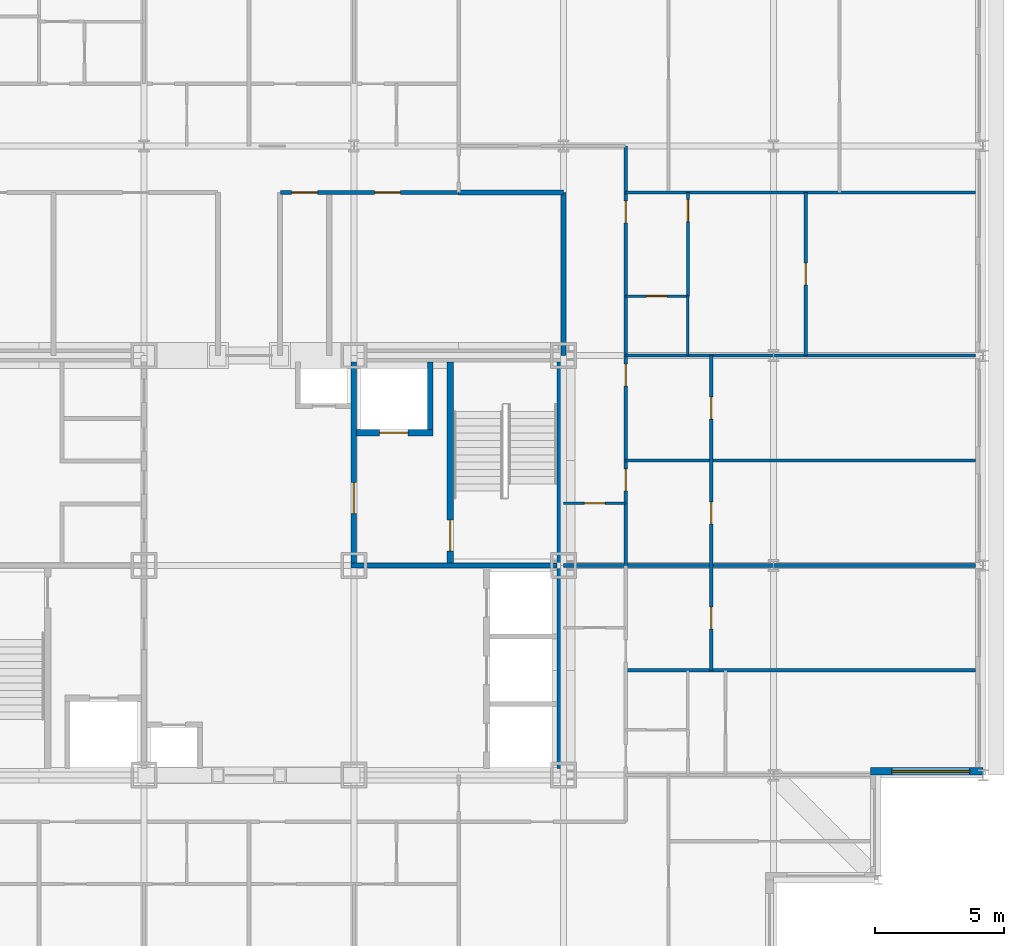
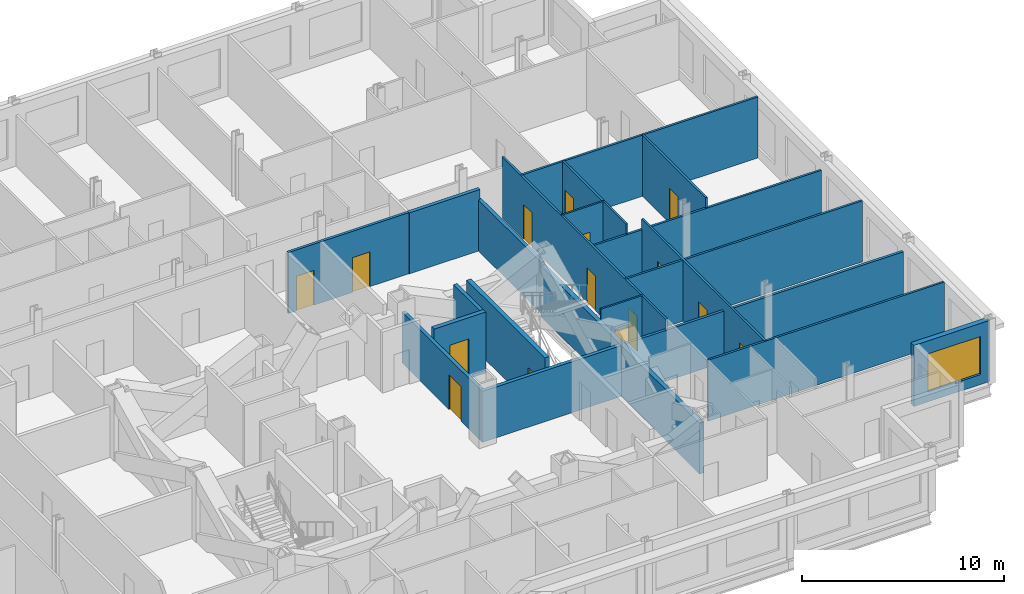
# One storey, part 11 of 16: 22 walls, 15 doors, 1 window, 16 openings.
"""IFC4 building model written with IfcOpenShell, lengths in metres."""

from ifc_helpers import new_model, si_unit, direction, frame, frame_2d, origin, place, context, subcontext, project, spatial, rectangle, extrude, material, layer, layer_set, type_object, element, fill, save


model = new_model("IFC4")

# Units and contexts
model_context = context("Model", 3, precision=1e-05, world=origin(), true_north=direction((0.0, 1.0)))
body_context = subcontext(model_context, "Body", "Model", "MODEL_VIEW")
ifc_project = project(units=[si_unit("LENGTHUNIT", "METRE"), si_unit("AREAUNIT", "SQUARE_METRE"), si_unit("VOLUMEUNIT", "CUBIC_METRE"), si_unit("PLANEANGLEUNIT", "RADIAN"), si_unit("MASSUNIT", "GRAM", prefix="KILO")], contexts=[model_context])

# Site, building, storey
site_placement = place(None, origin())
site = spatial("IfcSite", under=ifc_project, at=site_placement, CompositionType="ELEMENT")
building_placement = place(site_placement, origin())
building = spatial("IfcBuilding", under=site, at=building_placement, Name="Kopane Lantern Tower", CompositionType="ELEMENT")
storey_placement = place(building_placement, frame((0.0, 0.0, 265.800048828125)))
storey = spatial("IfcBuildingStorey", under=building, at=storey_placement, Name="L68", CompositionType="ELEMENT", Elevation=265.800048828125)

# Wall
ifc_material_1 = material(Name="Gypsum board on steel studs", Category="steel")
ifc_layer_1 = layer(ifc_material_1, 0.1201171875)
ifc_layer_set_1 = layer_set([ifc_layer_1], Name="APARTMENT INTERNAL WALL 120")
wall_type_1 = type_object("IfcWallType", Name="APARTMENT INTERNAL WALL 120", PredefinedType="PARTITIONING", material=ifc_layer_set_1)
wall_1_placement = place(storey_placement, frame((42.89990234375, 28.35009765625, 0.0), z_axis=(0.0, 0.0, 1.0), x_axis=(1.0, 0.0, 0.0)))
element("IfcWall", 1, at=wall_1_placement, inside=storey, type_object=wall_type_1, Name="Apartment Internal Wall 120 L68", PredefinedType="PARTITIONING", context=body_context, shape_type="SweptSolid", body=[
    extrude(rectangle(XDim=13.5, YDim=0.1201171875, at=frame_2d((6.75, 0.0))), origin(), (0.0, 0.0, 1.0), 3.68994140625),
])

# Wall, openings, doors
wall_2_placement = place(storey_placement, frame((42.89990234375, 48.60009765625, 0.0), z_axis=(0.0, 0.0, 1.0), x_axis=(0.0, -1.0, 0.0)))
wall_2 = element("IfcWall", 2, at=wall_2_placement, inside=storey, type_object=wall_type_1, Name="Apartment Internal Wall 120 L68", PredefinedType="PARTITIONING", context=body_context, shape_type="SweptSolid", body=[
    extrude(rectangle(XDim=16.2001953125, YDim=0.1201171875, at=frame_2d((8.10009765625, 0.0))), origin(), (0.0, 0.0, 1.0), 3.68994140625),
])
opening_1_placement = place(wall_2_placement, frame((2.125, 0.0, 0.0)))
opening_1 = element("IfcOpeningElement", 3, at=opening_1_placement, cuts=wall_2, Name="Opening L68-062", PredefinedType="OPENING", context=body_context, shape_type="SweptSolid", body=[
    extrude(rectangle(XDim=0.85009765625, YDim=2.10009765625, at=frame_2d((0.425048828125, 1.050048828125))), frame((0.0, 0.070068359375, 0.0), z_axis=(0.0, -1.0, 0.0), x_axis=(1.0, 0.0, 0.0)), (0.0, 0.0, 1.0), 0.14013671875),
])
opening_2_placement = place(wall_2_placement, frame((8.425048828125, 0.0, 0.0)))
opening_2 = element("IfcOpeningElement", 4, at=opening_2_placement, cuts=wall_2, Name="Opening L68-063", PredefinedType="OPENING", context=body_context, shape_type="SweptSolid", body=[
    extrude(rectangle(XDim=0.85009765625, YDim=2.10009765625, at=frame_2d((0.425048828125, 1.050048828125))), frame((0.0, 0.070068359375, 0.0), z_axis=(0.0, -1.0, 0.0), x_axis=(1.0, 0.0, 0.0)), (0.0, 0.0, 1.0), 0.14013671875),
])
opening_3_placement = place(wall_2_placement, frame((12.47509765625, 0.0, 0.0)))
opening_3 = element("IfcOpeningElement", 5, at=opening_3_placement, cuts=wall_2, Name="Opening L68-064", PredefinedType="OPENING", context=body_context, shape_type="SweptSolid", body=[
    extrude(rectangle(XDim=0.85009765625, YDim=2.10009765625, at=frame_2d((0.425048828125, 1.050048828125))), frame((0.0, 0.070068359375, 0.0), z_axis=(0.0, -1.0, 0.0), x_axis=(1.0, 0.0, 0.0)), (0.0, 0.0, 1.0), 0.14013671875),
])
ifc_material_2 = material(Name="Timber door set", Category="wood")
door_type_1 = type_object("IfcDoorType", Name="DOOR D4 850x2100", OperationType="SINGLE_SWING_LEFT", PredefinedType="DOOR", material=ifc_material_2)
door_1_placement = place(opening_1_placement, origin())
door_1 = element("IfcDoor", 6, at=door_1_placement, inside=storey, type_object=door_type_1, Name="Door L68-062", OperationType="SINGLE_SWING_LEFT", OverallHeight=2.10009765625, OverallWidth=0.85009765625, PredefinedType="DOOR", context=body_context, shape_type="SweptSolid", body=[
    extrude(rectangle(XDim=0.85009765625, YDim=2.10009765625, at=frame_2d((0.425048828125, 1.050048828125))), frame((0.0, 0.02490234375, 0.0), z_axis=(0.0, -1.0, 0.0), x_axis=(1.0, 0.0, 0.0)), (0.0, 0.0, 1.0), 0.050048828125),
])
fill(opening_1, door_1)
door_2_placement = place(opening_2_placement, origin())
door_2 = element("IfcDoor", 7, at=door_2_placement, inside=storey, type_object=door_type_1, Name="Door L68-063", OperationType="SINGLE_SWING_LEFT", OverallHeight=2.10009765625, OverallWidth=0.85009765625, PredefinedType="DOOR", context=body_context, shape_type="SweptSolid", body=[
    extrude(rectangle(XDim=0.85009765625, YDim=2.10009765625, at=frame_2d((0.425048828125, 1.050048828125))), frame((0.0, 0.02490234375, 0.0), z_axis=(0.0, -1.0, 0.0), x_axis=(1.0, 0.0, 0.0)), (0.0, 0.0, 1.0), 0.050048828125),
])
fill(opening_2, door_2)
door_3_placement = place(opening_3_placement, origin())
door_3 = element("IfcDoor", 8, at=door_3_placement, inside=storey, type_object=door_type_1, Name="Door L68-064", OperationType="SINGLE_SWING_LEFT", OverallHeight=2.10009765625, OverallWidth=0.85009765625, PredefinedType="DOOR", context=body_context, shape_type="SweptSolid", body=[
    extrude(rectangle(XDim=0.85009765625, YDim=2.10009765625, at=frame_2d((0.425048828125, 1.050048828125))), frame((0.0, 0.02490234375, 0.0), z_axis=(0.0, -1.0, 0.0), x_axis=(1.0, 0.0, 0.0)), (0.0, 0.0, 1.0), 0.050048828125),
])
fill(opening_3, door_3)

# Walls
wall_3_placement = place(storey_placement, frame((42.89990234375, 46.800048828125, 0.0), z_axis=(0.0, 0.0, 1.0), x_axis=(1.0, 0.0, 0.0)))
element("IfcWall", 9, at=wall_3_placement, inside=storey, type_object=wall_type_1, Name="Apartment Internal Wall 120 L68", PredefinedType="PARTITIONING", context=body_context, shape_type="SweptSolid", body=[
    extrude(rectangle(XDim=13.5, YDim=0.1201171875, at=frame_2d((6.75, 0.0))), origin(), (0.0, 0.0, 1.0), 3.68994140625),
])
wall_4_placement = place(storey_placement, frame((42.89990234375, 40.5, 0.0), z_axis=(0.0, 0.0, 1.0), x_axis=(1.0, 0.0, 0.0)))
element("IfcWall", 10, at=wall_4_placement, inside=storey, type_object=wall_type_1, Name="Apartment Internal Wall 120 L68", PredefinedType="PARTITIONING", context=body_context, shape_type="SweptSolid", body=[
    extrude(rectangle(XDim=13.5, YDim=0.1201171875, at=frame_2d((6.75, 0.0))), origin(), (0.0, 0.0, 1.0), 3.07763671875),
])
wall_5_placement = place(storey_placement, frame((42.89990234375, 36.449951171875, 0.0), z_axis=(0.0, 0.0, 1.0), x_axis=(1.0, 0.0, 0.0)))
element("IfcWall", 11, at=wall_5_placement, inside=storey, type_object=wall_type_1, Name="Apartment Internal Wall 120 L68", PredefinedType="PARTITIONING", context=body_context, shape_type="SweptSolid", body=[
    extrude(rectangle(XDim=13.5, YDim=0.1201171875, at=frame_2d((6.75, 0.0))), origin(), (0.0, 0.0, 1.0), 3.68994140625),
])

# Wall, opening, door
wall_6_placement = place(storey_placement, frame((45.300048828125, 46.800048828125, 0.0), z_axis=(0.0, 0.0, 1.0), x_axis=(0.0, -1.0, 0.0)))
wall_6 = element("IfcWall", 12, at=wall_6_placement, inside=storey, type_object=wall_type_1, Name="Apartment Internal Wall 120 L68", PredefinedType="PARTITIONING", context=body_context, shape_type="SweptSolid", body=[
    extrude(rectangle(XDim=4.010009765625, YDim=0.1201171875, at=frame_2d((2.0048828125, 0.0))), origin(), (0.0, 0.0, 1.0), 3.68994140625),
])
opening_4_placement = place(wall_6_placement, frame((0.27490234375, 0.0, 0.0)))
opening_4 = element("IfcOpeningElement", 13, at=opening_4_placement, cuts=wall_6, Name="Opening L68-070", PredefinedType="OPENING", context=body_context, shape_type="SweptSolid", body=[
    extrude(rectangle(XDim=0.85009765625, YDim=2.10009765625, at=frame_2d((0.425048828125, 1.050048828125))), frame((0.0, 0.070068359375, 0.0), z_axis=(0.0, -1.0, 0.0), x_axis=(1.0, 0.0, 0.0)), (0.0, 0.0, 1.0), 0.14013671875),
])
door_4_placement = place(opening_4_placement, origin())
door_4 = element("IfcDoor", 14, at=door_4_placement, inside=storey, type_object=door_type_1, Name="Door L68-070", OperationType="SINGLE_SWING_LEFT", OverallHeight=2.10009765625, OverallWidth=0.85009765625, PredefinedType="DOOR", context=body_context, shape_type="SweptSolid", body=[
    extrude(rectangle(XDim=0.85009765625, YDim=2.10009765625, at=frame_2d((0.425048828125, 1.050048828125))), frame((0.0, 0.02490234375, 0.0), z_axis=(0.0, -1.0, 0.0), x_axis=(1.0, 0.0, 0.0)), (0.0, 0.0, 1.0), 0.050048828125),
])
fill(opening_4, door_4)

# Wall, openings, doors
wall_7_placement = place(storey_placement, frame((46.199951171875, 28.35009765625, 0.0), z_axis=(0.0, 0.0, 1.0), x_axis=(0.0, 1.0, 0.0)))
wall_7 = element("IfcWall", 15, at=wall_7_placement, inside=storey, type_object=wall_type_1, Name="Apartment Internal Wall 120 L68", PredefinedType="PARTITIONING", context=body_context, shape_type="SweptSolid", body=[
    extrude(rectangle(XDim=12.14990234375, YDim=0.1201171875, at=frame_2d((6.074951171875, 0.0))), origin(), (0.0, 0.0, 1.0), 3.68994140625),
])
opening_5_placement = place(wall_7_placement, frame((1.60009765625, 0.0, 0.0)))
opening_5 = element("IfcOpeningElement", 16, at=opening_5_placement, cuts=wall_7, Name="Opening L68-078", PredefinedType="OPENING", context=body_context, shape_type="SweptSolid", body=[
    extrude(rectangle(XDim=0.85009765625, YDim=2.10009765625, at=frame_2d((0.425048828125, 1.050048828125))), frame((0.0, 0.070068359375, 0.0), z_axis=(0.0, -1.0, 0.0), x_axis=(1.0, 0.0, 0.0)), (0.0, 0.0, 1.0), 0.14013671875),
])
opening_6_placement = place(wall_7_placement, frame((9.699951171875, 0.0, 0.0)))
opening_6 = element("IfcOpeningElement", 17, at=opening_6_placement, cuts=wall_7, Name="Opening L68-082", PredefinedType="OPENING", context=body_context, shape_type="SweptSolid", body=[
    extrude(rectangle(XDim=0.85009765625, YDim=2.10009765625, at=frame_2d((0.425048828125, 1.050048828125))), frame((0.0, 0.070068359375, 0.0), z_axis=(0.0, -1.0, 0.0), x_axis=(1.0, 0.0, 0.0)), (0.0, 0.0, 1.0), 0.14013671875),
])
opening_7_placement = place(wall_7_placement, frame((5.64990234375, 0.0, 0.0)))
opening_7 = element("IfcOpeningElement", 18, at=opening_7_placement, cuts=wall_7, Name="Opening L68-083", PredefinedType="OPENING", context=body_context, shape_type="SweptSolid", body=[
    extrude(rectangle(XDim=0.85009765625, YDim=2.10009765625, at=frame_2d((0.425048828125, 1.050048828125))), frame((0.0, 0.070068359375, 0.0), z_axis=(0.0, -1.0, 0.0), x_axis=(1.0, 0.0, 0.0)), (0.0, 0.0, 1.0), 0.14013671875),
])
door_5_placement = place(opening_5_placement, origin())
door_5 = element("IfcDoor", 19, at=door_5_placement, inside=storey, type_object=door_type_1, Name="Door L68-078", OperationType="SINGLE_SWING_LEFT", OverallHeight=2.10009765625, OverallWidth=0.85009765625, PredefinedType="DOOR", context=body_context, shape_type="SweptSolid", body=[
    extrude(rectangle(XDim=0.85009765625, YDim=2.10009765625, at=frame_2d((0.425048828125, 1.050048828125))), frame((0.0, 0.02490234375, 0.0), z_axis=(0.0, -1.0, 0.0), x_axis=(1.0, 0.0, 0.0)), (0.0, 0.0, 1.0), 0.050048828125),
])
fill(opening_5, door_5)
door_6_placement = place(opening_6_placement, origin())
door_6 = element("IfcDoor", 20, at=door_6_placement, inside=storey, type_object=door_type_1, Name="Door L68-082", OperationType="SINGLE_SWING_LEFT", OverallHeight=2.10009765625, OverallWidth=0.85009765625, PredefinedType="DOOR", context=body_context, shape_type="SweptSolid", body=[
    extrude(rectangle(XDim=0.85009765625, YDim=2.10009765625, at=frame_2d((0.425048828125, 1.050048828125))), frame((0.0, 0.02490234375, 0.0), z_axis=(0.0, -1.0, 0.0), x_axis=(1.0, 0.0, 0.0)), (0.0, 0.0, 1.0), 0.050048828125),
])
fill(opening_6, door_6)
door_7_placement = place(opening_7_placement, origin())
door_7 = element("IfcDoor", 21, at=door_7_placement, inside=storey, type_object=door_type_1, Name="Door L68-083", OperationType="SINGLE_SWING_RIGHT", OverallHeight=2.10009765625, OverallWidth=0.85009765625, PredefinedType="DOOR", context=body_context, shape_type="SweptSolid", body=[
    extrude(rectangle(XDim=0.85009765625, YDim=2.10009765625, at=frame_2d((0.425048828125, 1.050048828125))), frame((0.0, 0.02490234375, 0.0), z_axis=(0.0, -1.0, 0.0), x_axis=(1.0, 0.0, 0.0)), (0.0, 0.0, 1.0), 0.050048828125),
])
fill(opening_7, door_7)

# Wall, opening, door
wall_8_placement = place(storey_placement, frame((49.85009765625, 40.5, 0.0), z_axis=(0.0, 0.0, 1.0), x_axis=(0.0, 1.0, 0.0)))
wall_8 = element("IfcWall", 22, at=wall_8_placement, inside=storey, type_object=wall_type_1, Name="Apartment Internal Wall 120 L68", PredefinedType="PARTITIONING", context=body_context, shape_type="SweptSolid", body=[
    extrude(rectangle(XDim=6.300048828125, YDim=0.1201171875, at=frame_2d((3.14990234375, 0.0))), origin(), (0.0, 0.0, 1.0), 3.68994140625),
])
opening_8_placement = place(wall_8_placement, frame((2.72509765625, 0.0, 0.0)))
opening_8 = element("IfcOpeningElement", 23, at=opening_8_placement, cuts=wall_8, Name="Opening L68-081", PredefinedType="OPENING", context=body_context, shape_type="SweptSolid", body=[
    extrude(rectangle(XDim=0.85009765625, YDim=2.10009765625, at=frame_2d((0.425048828125, 1.050048828125))), frame((0.0, 0.070068359375, 0.0), z_axis=(0.0, -1.0, 0.0), x_axis=(1.0, 0.0, 0.0)), (0.0, 0.0, 1.0), 0.14013671875),
])
door_8_placement = place(opening_8_placement, origin())
door_8 = element("IfcDoor", 24, at=door_8_placement, inside=storey, type_object=door_type_1, Name="Door L68-081", OperationType="SINGLE_SWING_LEFT", OverallHeight=2.10009765625, OverallWidth=0.85009765625, PredefinedType="DOOR", context=body_context, shape_type="SweptSolid", body=[
    extrude(rectangle(XDim=0.85009765625, YDim=2.10009765625, at=frame_2d((0.425048828125, 1.050048828125))), frame((0.0, 0.02490234375, 0.0), z_axis=(0.0, -1.0, 0.0), x_axis=(1.0, 0.0, 0.0)), (0.0, 0.0, 1.0), 0.050048828125),
])
fill(opening_8, door_8)

ifc_material_3 = material(Name="Moisture-resistant board on steel studs", Category="steel")
ifc_layer_2 = layer(ifc_material_3, 0.10009765625)
ifc_layer_set_2 = layer_set([ifc_layer_2], Name="BATHROOM WALL 100")
wall_type_2 = type_object("IfcWallType", Name="BATHROOM WALL 100", PredefinedType="PARTITIONING", material=ifc_layer_set_2)
wall_9_placement = place(storey_placement, frame((40.5, 34.800048828125, 0.0), z_axis=(0.0, 0.0, 1.0), x_axis=(1.0, 0.0, 0.0)))
wall_9 = element("IfcWall", 25, at=wall_9_placement, inside=storey, type_object=wall_type_2, Name="Bathroom Wall 100 L68", PredefinedType="PARTITIONING", context=body_context, shape_type="SweptSolid", body=[
    extrude(rectangle(XDim=2.39990234375, YDim=0.10009765625, at=frame_2d((1.199951171875, 0.0))), origin(), (0.0, 0.0, 1.0), 3.68994140625),
])
opening_9_placement = place(wall_9_placement, frame((0.800048828125, 0.0, 0.0)))
opening_9 = element("IfcOpeningElement", 26, at=opening_9_placement, cuts=wall_9, Name="Opening L68-056", PredefinedType="OPENING", context=body_context, shape_type="SweptSolid", body=[
    extrude(rectangle(XDim=0.800048828125, YDim=2.10009765625, at=frame_2d((0.39990234375, 1.050048828125))), frame((0.0, 0.06005859375, 0.0), z_axis=(0.0, -1.0, 0.0), x_axis=(1.0, 0.0, 0.0)), (0.0, 0.0, 1.0), 0.1201171875),
])
ifc_material_4 = material(Name="Timber door set", Category="wood")
door_type_2 = type_object("IfcDoorType", Name="DOOR D2 800x2100", OperationType="SINGLE_SWING_LEFT", PredefinedType="DOOR", material=ifc_material_4)
door_9_placement = place(opening_9_placement, origin())
door_9 = element("IfcDoor", 27, at=door_9_placement, inside=storey, type_object=door_type_2, Name="Door L68-056", OperationType="SINGLE_SWING_RIGHT", OverallHeight=2.10009765625, OverallWidth=0.800048828125, PredefinedType="DOOR", context=body_context, shape_type="SweptSolid", body=[
    extrude(rectangle(XDim=0.800048828125, YDim=2.10009765625, at=frame_2d((0.39990234375, 1.050048828125))), frame((0.0, 0.02490234375, 0.0), z_axis=(0.0, -1.0, 0.0), x_axis=(1.0, 0.0, 0.0)), (0.0, 0.0, 1.0), 0.050048828125),
])
fill(opening_9, door_9)

wall_10_placement = place(storey_placement, frame((42.89990234375, 42.800048828125, 0.0), z_axis=(0.0, 0.0, 1.0), x_axis=(1.0, 0.0, 0.0)))
wall_10 = element("IfcWall", 28, at=wall_10_placement, inside=storey, type_object=wall_type_2, Name="Bathroom Wall 100 L68", PredefinedType="PARTITIONING", context=body_context, shape_type="SweptSolid", body=[
    extrude(rectangle(XDim=2.400146484375, YDim=0.10009765625, at=frame_2d((1.2001953125, 0.0))), origin(), (0.0, 0.0, 1.0), 3.68994140625),
])
opening_10_placement = place(wall_10_placement, frame((0.800048828125, 0.0, 0.0)))
opening_10 = element("IfcOpeningElement", 29, at=opening_10_placement, cuts=wall_10, Name="Opening L68-061", PredefinedType="OPENING", context=body_context, shape_type="SweptSolid", body=[
    extrude(rectangle(XDim=0.800048828125, YDim=2.10009765625, at=frame_2d((0.39990234375, 1.050048828125))), frame((0.0, 0.06005859375, 0.0), z_axis=(0.0, -1.0, 0.0), x_axis=(1.0, 0.0, 0.0)), (0.0, 0.0, 1.0), 0.1201171875),
])
door_10_placement = place(opening_10_placement, origin())
door_10 = element("IfcDoor", 30, at=door_10_placement, inside=storey, type_object=door_type_2, Name="Door L68-061", OperationType="SINGLE_SWING_LEFT", OverallHeight=2.10009765625, OverallWidth=0.800048828125, PredefinedType="DOOR", context=body_context, shape_type="SweptSolid", body=[
    extrude(rectangle(XDim=0.800048828125, YDim=2.10009765625, at=frame_2d((0.39990234375, 1.050048828125))), frame((0.0, 0.02490234375, 0.0), z_axis=(0.0, -1.0, 0.0), x_axis=(1.0, 0.0, 0.0)), (0.0, 0.0, 1.0), 0.050048828125),
])
fill(opening_10, door_10)

# Walls
wall_11_placement = place(storey_placement, frame((45.300048828125, 42.800048828125, 0.0), z_axis=(0.0, 0.0, 1.0), x_axis=(0.0, -1.0, 0.0)))
element("IfcWall", 31, at=wall_11_placement, inside=storey, type_object=wall_type_2, Name="Bathroom Wall 100 L68", PredefinedType="PARTITIONING", context=body_context, shape_type="SweptSolid", body=[
    extrude(rectangle(XDim=2.300048828125, YDim=0.10009765625, at=frame_2d((1.14990234375, 0.0))), origin(), (0.0, 0.0, 1.0), 3.68994140625),
])
ifc_material_5 = material(Name="Gypsum shaft wall EI 120", Category="gypsum")
ifc_layer_3 = layer(ifc_material_5, 0.25)
ifc_layer_set_3 = layer_set([ifc_layer_3], Name="CORE SHAFT WALL 250 EI 120")
wall_type_3 = type_object("IfcWallType", Name="CORE SHAFT WALL 250 EI 120", PredefinedType="SOLIDWALL", material=ifc_layer_set_3)
wall_12_placement = place(storey_placement, frame((40.375, 24.550048828125, 0.0), z_axis=(0.0, 0.0, 1.0), x_axis=(0.0, 1.0, 0.0)))
element("IfcWall", 32, at=wall_12_placement, inside=storey, type_object=wall_type_3, Name="Core shaft wall L68 PE", PredefinedType="SOLIDWALL", context=body_context, shape_type="SweptSolid", body=[
    extrude(rectangle(XDim=15.699951171875, YDim=0.25, at=frame_2d((7.85009765625, 0.0))), origin(), (0.0, 0.0, 1.0), 3.07763671875),
])

# Wall, opening, door
wall_13_placement = place(storey_placement, frame((36.125, 32.5, 0.0), z_axis=(0.0, 0.0, 1.0), x_axis=(0.0, 1.0, 0.0)))
wall_13 = element("IfcWall", 33, at=wall_13_placement, inside=storey, type_object=wall_type_3, Name="Core shaft wall L68 XST2", PredefinedType="SOLIDWALL", context=body_context, shape_type="SweptSolid", body=[
    extrude(rectangle(XDim=7.75, YDim=0.25, at=frame_2d((3.875, 0.0))), origin(), (0.0, 0.0, 1.0), 3.68994140625),
])
opening_11_placement = place(wall_13_placement, frame((0.449951171875, 0.0, 0.0)))
opening_11 = element("IfcOpeningElement", 34, at=opening_11_placement, cuts=wall_13, Name="Opening 68.SD2", PredefinedType="OPENING", context=body_context, shape_type="SweptSolid", body=[
    extrude(rectangle(XDim=1.199951171875, YDim=2.10009765625, at=frame_2d((0.60009765625, 1.050048828125))), frame((0.0, 0.135009765625, 0.0), z_axis=(0.0, -1.0, 0.0), x_axis=(1.0, 0.0, 0.0)), (0.0, 0.0, 1.0), 0.27001953125),
])
ifc_material_6 = material(Name="Steel door set", Category="steel")
door_type_3 = type_object("IfcDoorType", Name="STAIR DOOR 1200x2100 FD60S", OperationType="SINGLE_SWING_LEFT", PredefinedType="DOOR", material=ifc_material_6)
door_11_placement = place(opening_11_placement, origin())
door_11 = element("IfcDoor", 35, at=door_11_placement, inside=storey, type_object=door_type_3, Name="Stair door ST2 L68", OperationType="SINGLE_SWING_RIGHT", OverallHeight=2.10009765625, OverallWidth=1.199951171875, PredefinedType="DOOR", context=body_context, shape_type="SweptSolid", body=[
    extrude(rectangle(XDim=1.199951171875, YDim=2.10009765625, at=frame_2d((0.60009765625, 1.050048828125))), frame((0.0, 0.02490234375, 0.0), z_axis=(0.0, -1.0, 0.0), x_axis=(1.0, 0.0, 0.0)), (0.0, 0.0, 1.0), 0.050048828125),
])
fill(opening_11, door_11)

wall_14_placement = place(storey_placement, frame((32.5, 37.52490234375, 0.0), z_axis=(0.0, 0.0, 1.0), x_axis=(1.0, 0.0, 0.0)))
wall_14 = element("IfcWall", 36, at=wall_14_placement, inside=storey, type_object=wall_type_3, Name="Core shaft wall L68 YLF2", PredefinedType="SOLIDWALL", context=body_context, shape_type="SweptSolid", body=[
    extrude(rectangle(XDim=2.949951171875, YDim=0.25, at=frame_2d((1.47509765625, 0.0))), origin(), (0.0, 0.0, 1.0), 3.68994140625),
])
opening_12_placement = place(wall_14_placement, frame((0.89990234375, 0.0, 0.0)))
opening_12 = element("IfcOpeningElement", 37, at=opening_12_placement, cuts=wall_14, Name="Opening 68.LD-LF2", PredefinedType="OPENING", context=body_context, shape_type="SweptSolid", body=[
    extrude(rectangle(XDim=1.10009765625, YDim=2.39990234375, at=frame_2d((0.550048828125, 1.199951171875))), frame((0.0, 0.135009765625, 0.0), z_axis=(0.0, -1.0, 0.0), x_axis=(1.0, 0.0, 0.0)), (0.0, 0.0, 1.0), 0.27001953125),
])
ifc_material_7 = material(Name="Steel door set", Category="steel")
door_type_4 = type_object("IfcDoorType", Name="LIFT LANDING DOOR 1100x2400 FD60", OperationType="DOUBLE_DOOR_SLIDING", PredefinedType="DOOR", material=ifc_material_7)
door_12_placement = place(opening_12_placement, origin())
door_12 = element("IfcDoor", 38, at=door_12_placement, inside=storey, type_object=door_type_4, Name="Landing door LF2 L68", OperationType="DOUBLE_DOOR_SLIDING", OverallHeight=2.39990234375, OverallWidth=1.10009765625, PredefinedType="DOOR", context=body_context, shape_type="SweptSolid", body=[
    extrude(rectangle(XDim=1.10009765625, YDim=2.39990234375, at=frame_2d((0.550048828125, 1.199951171875))), frame((0.0, 0.02490234375, 0.0), z_axis=(0.0, -1.0, 0.0), x_axis=(1.0, 0.0, 0.0)), (0.0, 0.0, 1.0), 0.050048828125),
])
fill(opening_12, door_12)

# Wall, openings, doors
ifc_material_8 = material(Name="Gypsum board on steel studs", Category="steel")
ifc_layer_4 = layer(ifc_material_8, 0.14990234375)
ifc_layer_set_4 = layer_set([ifc_layer_4], Name="CORRIDOR WALL 150 EI 60")
wall_type_4 = type_object("IfcWallType", Name="CORRIDOR WALL 150 EI 60", PredefinedType="PARTITIONING", material=ifc_layer_set_4)
wall_15_placement = place(storey_placement, frame((29.56005859375, 46.800048828125, 0.0), z_axis=(0.0, 0.0, 1.0), x_axis=(1.0, 0.0, 0.0)))
wall_15 = element("IfcWall", 39, at=wall_15_placement, inside=storey, type_object=wall_type_4, Name="Corridor Wall 150 Ei 60 L68", PredefinedType="PARTITIONING", context=body_context, shape_type="SweptSolid", body=[
    extrude(rectangle(XDim=6.889892578125, YDim=0.14990234375, at=frame_2d((3.44482421875, 0.0))), origin(), (0.0, 0.0, 1.0), 3.68994140625),
])
opening_13_placement = place(wall_15_placement, frame((0.4423828125, 0.0, 0.0)))
opening_13 = element("IfcOpeningElement", 40, at=opening_13_placement, cuts=wall_15, Name="Opening L68-007", PredefinedType="OPENING", context=body_context, shape_type="SweptSolid", body=[
    extrude(rectangle(XDim=1.0, YDim=2.10009765625, at=frame_2d((0.5, 1.050048828125))), frame((0.0, 0.0849609375, 0.0), z_axis=(0.0, -1.0, 0.0), x_axis=(1.0, 0.0, 0.0)), (0.0, 0.0, 1.0), 0.169921875),
])
opening_14_placement = place(wall_15_placement, frame((3.642333984375, 0.0, 0.0)))
opening_14 = element("IfcOpeningElement", 41, at=opening_14_placement, cuts=wall_15, Name="Opening L68-008", PredefinedType="OPENING", context=body_context, shape_type="SweptSolid", body=[
    extrude(rectangle(XDim=1.0, YDim=2.10009765625, at=frame_2d((0.5, 1.050048828125))), frame((0.0, 0.0849609375, 0.0), z_axis=(0.0, -1.0, 0.0), x_axis=(1.0, 0.0, 0.0)), (0.0, 0.0, 1.0), 0.169921875),
])
ifc_material_9 = material(Name="Steel door set", Category="steel")
door_type_5 = type_object("IfcDoorType", Name="DOOR D5 1000x2100 FD60", OperationType="SINGLE_SWING_LEFT", PredefinedType="DOOR", material=ifc_material_9)
door_13_placement = place(opening_13_placement, origin())
door_13 = element("IfcDoor", 42, at=door_13_placement, inside=storey, type_object=door_type_5, Name="Door L68-007", OperationType="SINGLE_SWING_RIGHT", OverallHeight=2.10009765625, OverallWidth=1.0, PredefinedType="DOOR", context=body_context, shape_type="SweptSolid", body=[
    extrude(rectangle(XDim=1.0, YDim=2.10009765625, at=frame_2d((0.5, 1.050048828125))), frame((0.0, 0.02490234375, 0.0), z_axis=(0.0, -1.0, 0.0), x_axis=(1.0, 0.0, 0.0)), (0.0, 0.0, 1.0), 0.050048828125),
])
fill(opening_13, door_13)
door_14_placement = place(opening_14_placement, origin())
door_14 = element("IfcDoor", 43, at=door_14_placement, inside=storey, type_object=door_type_5, Name="Door L68-008", OperationType="SINGLE_SWING_RIGHT", OverallHeight=2.10009765625, OverallWidth=1.0, PredefinedType="DOOR", context=body_context, shape_type="SweptSolid", body=[
    extrude(rectangle(XDim=1.0, YDim=2.10009765625, at=frame_2d((0.5, 1.050048828125))), frame((0.0, 0.02490234375, 0.0), z_axis=(0.0, -1.0, 0.0), x_axis=(1.0, 0.0, 0.0)), (0.0, 0.0, 1.0), 0.050048828125),
])
fill(opening_14, door_14)

# Wall
ifc_material_10 = material(Name="Gypsum board on steel studs", Category="steel")
ifc_layer_5 = layer(ifc_material_10, 0.14990234375)
ifc_layer_set_5 = layer_set([ifc_layer_5], Name="DEMISING WALL 150 EI 60")
wall_type_5 = type_object("IfcWallType", Name="DEMISING WALL 150 EI 60", PredefinedType="PARTITIONING", material=ifc_layer_set_5)
wall_16_placement = place(storey_placement, frame((40.5, 32.39990234375, 0.0), z_axis=(0.0, 0.0, 1.0), x_axis=(1.0, 0.0, 0.0)))
element("IfcWall", 44, at=wall_16_placement, inside=storey, type_object=wall_type_5, Name="Demising Wall 150 Ei 60 L68", PredefinedType="PARTITIONING", context=body_context, shape_type="SweptSolid", body=[
    extrude(rectangle(XDim=15.89990234375, YDim=0.14990234375, at=frame_2d((7.949951171875, 0.0))), origin(), (0.0, 0.0, 1.0), 3.07763671875),
])

# Wall, opening, window
ifc_material_11 = material(Name="Terracotta rainscreen on light steel framing", Category="masonry")
ifc_layer_6 = layer(ifc_material_11, 0.300048828125)
ifc_layer_set_6 = layer_set([ifc_layer_6], Name="EXTERNAL WALL EW1 300 TERRACOTTA")
wall_type_6 = type_object("IfcWallType", Name="EXTERNAL WALL EW1 300 TERRACOTTA", PredefinedType="SOLIDWALL", material=ifc_layer_set_6)
wall_17_placement = place(storey_placement, frame((52.35009765625, 24.449951171875, 0.0), z_axis=(0.0, 0.0, 1.0), x_axis=(1.0, 0.0, 0.0)))
wall_17 = element("IfcWall", 45, at=wall_17_placement, inside=storey, type_object=wall_type_6, Name="External wall S L68", PredefinedType="SOLIDWALL", context=body_context, shape_type="SweptSolid", body=[
    extrude(rectangle(XDim=4.349853515625, YDim=0.300048828125, at=frame_2d((2.1748046875, 0.0))), origin(), (0.0, 0.0, 1.0), 3.68994140625),
])
opening_15_placement = place(wall_17_placement, frame((0.824951171875, 0.0, 0.60009765625)))
opening_15 = element("IfcOpeningElement", 46, at=opening_15_placement, cuts=wall_17, Name="Opening WR300230", PredefinedType="OPENING", context=body_context, shape_type="SweptSolid", body=[
    extrude(rectangle(XDim=3.0, YDim=2.300048828125, at=frame_2d((1.5, 1.14990234375))), frame((0.0, 0.159912109375, 0.0), z_axis=(0.0, -1.0, 0.0), x_axis=(1.0, 0.0, 0.0)), (0.0, 0.0, 1.0), 0.320068359375),
])
ifc_material_12 = material(Name="Aluminium and clear glass", Category="aluminium")
window_type = type_object("IfcWindowType", Name="RIBBON WINDOW WR300230 3000x2300", PartitioningType="SINGLE_PANEL", PredefinedType="WINDOW", material=ifc_material_12)
window_placement = place(opening_15_placement, origin())
window = element("IfcWindow", 47, at=window_placement, inside=storey, type_object=window_type, Name="Window S L68", OverallHeight=2.300048828125, OverallWidth=3.0, PartitioningType="SINGLE_PANEL", PredefinedType="WINDOW", context=body_context, shape_type="SweptSolid", body=[
    extrude(rectangle(XDim=3.0, YDim=2.300048828125, at=frame_2d((1.5, 1.14990234375))), frame((0.0, 0.030029296875, 0.0), z_axis=(0.0, -1.0, 0.0), x_axis=(1.0, 0.0, 0.0)), (0.0, 0.0, 1.0), 0.06005859375),
])
fill(opening_15, window)

# Walls
ifc_material_13 = material(Name="Concrete masonry", Category="masonry")
ifc_layer_7 = layer(ifc_material_13, 0.199951171875)
ifc_layer_set_7 = layer_set([ifc_layer_7], Name="PLANT ROOM WALL 200 EI 120")
wall_type_7 = type_object("IfcWallType", Name="PLANT ROOM WALL 200 EI 120", PredefinedType="SOLIDWALL", material=ifc_layer_set_7)
wall_18_placement = place(storey_placement, frame((40.5, 40.5, 0.0), z_axis=(0.0, 0.0, 1.0), x_axis=(0.0, 1.0, 0.0)))
element("IfcWall", 48, at=wall_18_placement, inside=storey, type_object=wall_type_7, Name="Plant Room Wall 200 Ei 120 L68", PredefinedType="SOLIDWALL", context=body_context, shape_type="SweptSolid", body=[
    extrude(rectangle(XDim=6.300048828125, YDim=0.199951171875, at=frame_2d((3.14990234375, 0.0))), origin(), (0.0, 0.0, 1.0), 3.07763671875),
])
wall_19_placement = place(storey_placement, frame((36.449951171875, 46.800048828125, 0.0), z_axis=(0.0, 0.0, 1.0), x_axis=(1.0, 0.0, 0.0)))
element("IfcWall", 49, at=wall_19_placement, inside=storey, type_object=wall_type_7, Name="Plant Room Wall 200 Ei 120 L68", PredefinedType="SOLIDWALL", context=body_context, shape_type="SweptSolid", body=[
    extrude(rectangle(XDim=4.050048828125, YDim=0.199951171875, at=frame_2d((2.02490234375, 0.0))), origin(), (0.0, 0.0, 1.0), 3.68994140625),
])
ifc_material_14 = material(Name="Gypsum shaft wall EI 120", Category="gypsum")
ifc_layer_8 = layer(ifc_material_14, 0.199951171875)
ifc_layer_set_8 = layer_set([ifc_layer_8], Name="SHAFT WALL 200 EI 120")
wall_type_8 = type_object("IfcWallType", Name="SHAFT WALL 200 EI 120", PredefinedType="SOLIDWALL", material=ifc_layer_set_8)
wall_20_placement = place(storey_placement, frame((32.300048828125, 32.39990234375, 0.0), z_axis=(0.0, 0.0, 1.0), x_axis=(1.0, 0.0, 0.0)))
element("IfcWall", 50, at=wall_20_placement, inside=storey, type_object=wall_type_8, Name="Core shaft wall L68 Y324E", PredefinedType="SOLIDWALL", context=body_context, shape_type="SweptSolid", body=[
    extrude(rectangle(XDim=7.949951171875, YDim=0.199951171875, at=frame_2d((3.97509765625, 0.0))), origin(), (0.0, 0.0, 1.0), 3.07763671875),
])

# Wall, opening, door
wall_21_placement = place(storey_placement, frame((32.39990234375, 32.5, 0.0), z_axis=(0.0, 0.0, 1.0), x_axis=(0.0, 1.0, 0.0)))
wall_21 = element("IfcWall", 51, at=wall_21_placement, inside=storey, type_object=wall_type_8, Name="Core shaft wall L68 X324", PredefinedType="SOLIDWALL", context=body_context, shape_type="SweptSolid", body=[
    extrude(rectangle(XDim=7.75, YDim=0.199951171875, at=frame_2d((3.875, 0.0))), origin(), (0.0, 0.0, 1.0), 3.07763671875),
])
opening_16_placement = place(wall_21_placement, frame((1.89990234375, 0.0, 0.0)))
opening_16 = element("IfcOpeningElement", 52, at=opening_16_placement, cuts=wall_21, Name="Opening 68.FL2", PredefinedType="OPENING", context=body_context, shape_type="SweptSolid", body=[
    extrude(rectangle(XDim=1.199951171875, YDim=2.10009765625, at=frame_2d((0.60009765625, 1.050048828125))), frame((0.0, 0.10986328125, 0.0), z_axis=(0.0, -1.0, 0.0), x_axis=(1.0, 0.0, 0.0)), (0.0, 0.0, 1.0), 0.219970703125),
])
ifc_material_15 = material(Name="Steel door set", Category="steel")
door_type_6 = type_object("IfcDoorType", Name="FIREFIGHTING LOBBY DOOR 1200x2100 FD60S", OperationType="SINGLE_SWING_RIGHT", PredefinedType="DOOR", material=ifc_material_15)
door_15_placement = place(opening_16_placement, origin())
door_15 = element("IfcDoor", 53, at=door_15_placement, inside=storey, type_object=door_type_6, Name="Firefighting lobby door FL2 L68", OperationType="SINGLE_SWING_LEFT", OverallHeight=2.10009765625, OverallWidth=1.199951171875, PredefinedType="DOOR", context=body_context, shape_type="SweptSolid", body=[
    extrude(rectangle(XDim=1.199951171875, YDim=2.10009765625, at=frame_2d((0.60009765625, 1.050048828125))), frame((0.0, 0.02490234375, 0.0), z_axis=(0.0, -1.0, 0.0), x_axis=(1.0, 0.0, 0.0)), (0.0, 0.0, 1.0), 0.050048828125),
])
fill(opening_16, door_15)

# Wall
wall_22_placement = place(storey_placement, frame((35.35009765625, 37.64990234375, 0.0), z_axis=(0.0, 0.0, 1.0), x_axis=(0.0, 1.0, 0.0)))
element("IfcWall", 54, at=wall_22_placement, inside=storey, type_object=wall_type_8, Name="Core shaft wall L68 XLF2", PredefinedType="SOLIDWALL", context=body_context, shape_type="SweptSolid", body=[
    extrude(rectangle(XDim=2.60009765625, YDim=0.199951171875, at=frame_2d((1.300048828125, 0.0))), origin(), (0.0, 0.0, 1.0), 3.68994140625),
])

save(model, "model.ifc")
